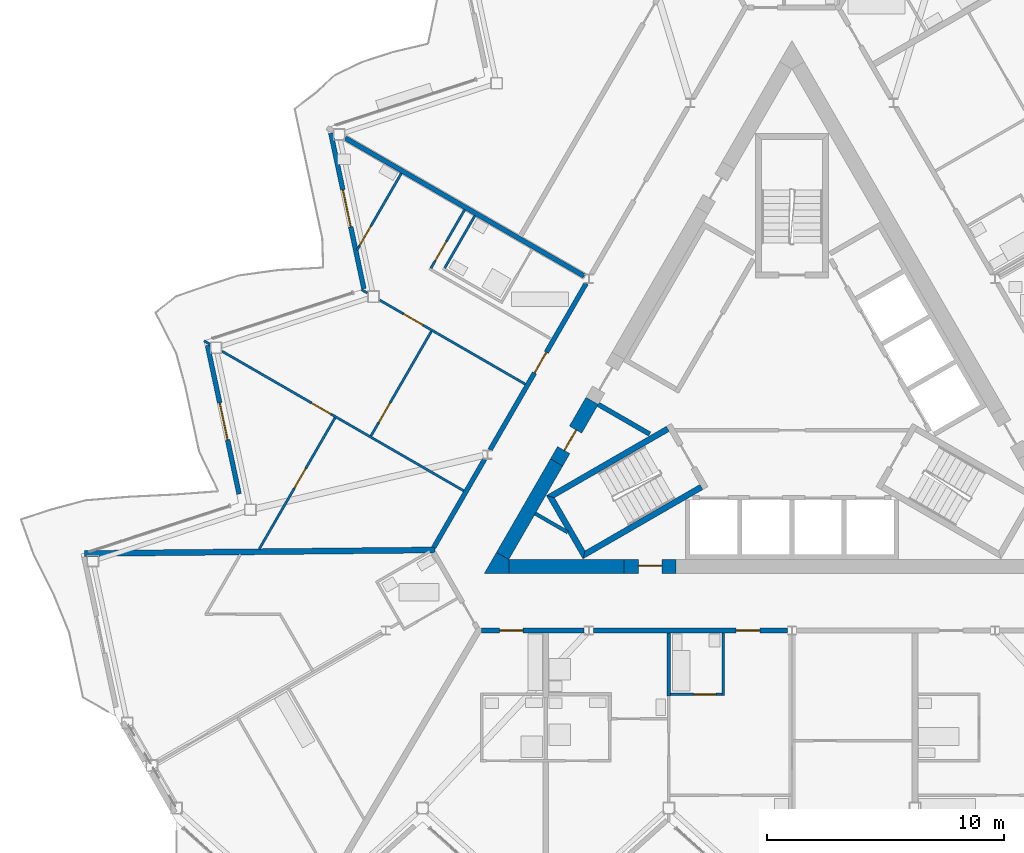
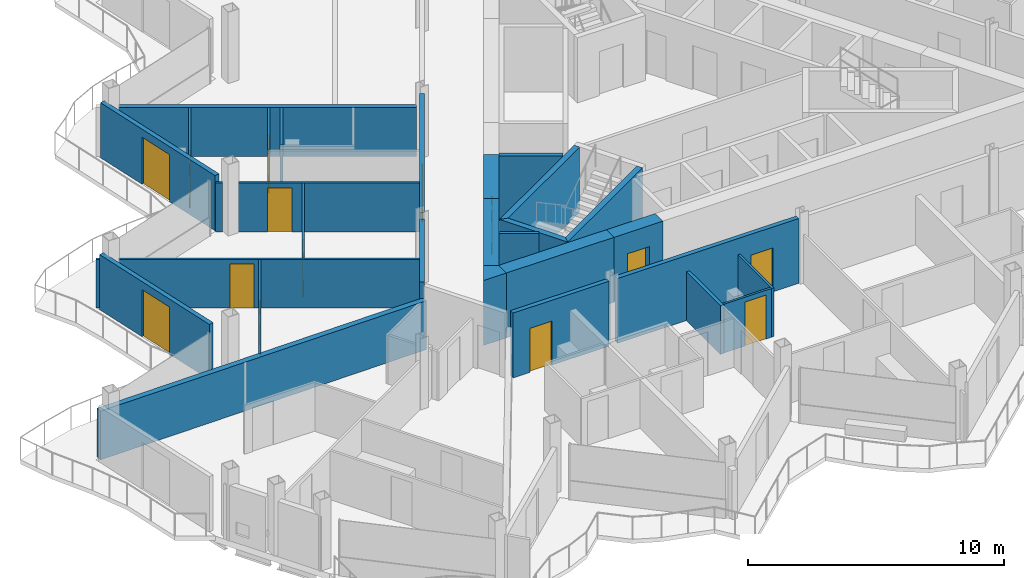
# One storey, part 13 of 26: 30 walls, 14 doors, 14 openings.
"""IFC4 building model written with IfcOpenShell, lengths in metres."""

from ifc_helpers import new_model, si_unit, direction, frame, frame_2d, origin, place, context, subcontext, project, spatial, polyline, rectangle, outline, extrude, material, layer, layer_set, type_object, element, fill, save


model = new_model("IFC4")

# Units and contexts
model_context = context("Model", 3, precision=1e-05, world=origin(), true_north=direction((0.0, 1.0)))
body_context = subcontext(model_context, "Body", "Model", "MODEL_VIEW")
ifc_project = project(units=[si_unit("LENGTHUNIT", "METRE"), si_unit("AREAUNIT", "SQUARE_METRE"), si_unit("VOLUMEUNIT", "CUBIC_METRE"), si_unit("PLANEANGLEUNIT", "RADIAN"), si_unit("MASSUNIT", "GRAM", prefix="KILO")], contexts=[model_context])

# Site, building, storey
site_placement = place(None, origin())
site = spatial("IfcSite", under=ifc_project, at=site_placement, CompositionType="ELEMENT")
building_placement = place(site_placement, origin())
building = spatial("IfcBuilding", under=site, at=building_placement, Name="Cormorant Prow Tower", CompositionType="ELEMENT")
storey_placement = place(building_placement, frame((0.0, 0.0, 371.199951171875)))
storey = spatial("IfcBuildingStorey", under=building, at=storey_placement, Name="L83", CompositionType="ELEMENT", Elevation=371.199951171875)

# Walls
ifc_material_1 = material(Name="Gypsum board partition")
ifc_layer_1 = layer(ifc_material_1, 0.14990234375)
ifc_layer_set_1 = layer_set([ifc_layer_1], Name="Gypsum board partition")
wall_type_1 = type_object("IfcWallType", Name="Core partition 150", PredefinedType="PARTITIONING", material=ifc_layer_set_1)
wall_1_placement = place(storey_placement, frame((-10.841796875, -4.96728515625, 0.0), z_axis=(0.0, 0.0, 1.0), x_axis=(0.866098216386, -0.499873863663, 0.0)))
element("IfcWall", 1, at=wall_1_placement, inside=storey, type_object=wall_type_1, Name="Service room partition", PredefinedType="PARTITIONING", context=body_context, shape_type="SweptSolid", body=[
    extrude(rectangle(XDim=1.58203125, YDim=0.14990234375, at=frame_2d((0.791015625, 0.0))), origin(), (0.0, 0.0, 1.0), 3.10009765625),
])
ifc_material_2 = material(Name="Concrete 8000 psi", Category="concrete")
ifc_layer_2 = layer(ifc_material_2, 0.60009765625)
ifc_layer_set_2 = layer_set([ifc_layer_2], Name="Concrete 8000 psi")
wall_type_2 = type_object("IfcWallType", Name="Core shear wall 600", PredefinedType="SHEAR", material=ifc_layer_set_2)
wall_2_placement = place(storey_placement, frame((-11.960693359375, -7.20556640625, 0.0), z_axis=(0.0, 0.0, 1.0), x_axis=(1.0, 0.0, 0.0)))
element("IfcWall", 2, at=wall_2_placement, inside=storey, type_object=wall_type_2, Name="Core wall", PredefinedType="SHEAR", context=body_context, shape_type="SweptSolid", body=[
    extrude(rectangle(XDim=4.868408203125, YDim=0.60009765625, at=frame_2d((2.43408203125, 0.0))), origin(), (0.0, 0.0, 1.0), 3.10009765625),
])
wall_3_placement = place(storey_placement, frame((-9.94091796875, -2.80712890625, 0.0), z_axis=(0.0, 0.0, 1.0), x_axis=(-0.500020646047, -0.866013483456, 0.0)))
element("IfcWall", 3, at=wall_3_placement, inside=storey, type_object=wall_type_2, Name="Core wall", PredefinedType="SHEAR", context=body_context, shape_type="SweptSolid", body=[
    extrude(rectangle(XDim=4.559326171875, YDim=0.60009765625, at=frame_2d((2.27978515625, 0.0))), origin(), (0.0, 0.0, 1.0), 3.10009765625),
])
wall_4_placement = place(storey_placement, origin())
element("IfcWall", 4, at=wall_4_placement, inside=storey, type_object=wall_type_2, Name="Core wall corner", PredefinedType="SHEAR", context=body_context, shape_type="SweptSolid", body=[
    extrude(outline(polyline([(-12.48046875, -6.605712890625), (-11.960693359375, -6.905517578125), (-11.960693359375, -7.505615234375), (-13.0, -7.505615234375), (-12.48046875, -6.605712890625)])), origin(), (0.0, 0.0, 1.0), 3.10009765625),
])

# Wall, opening, door
wall_5_placement = place(storey_placement, frame((-7.09228515625, -7.20556640625, 0.0), z_axis=(0.0, 0.0, 1.0), x_axis=(1.0, 0.0, 0.0)))
wall_5 = element("IfcWall", 5, at=wall_5_placement, inside=storey, type_object=wall_type_2, Name="Core wall door panel", PredefinedType="SHEAR", context=body_context, shape_type="SweptSolid", body=[
    extrude(rectangle(XDim=2.2001953125, YDim=0.60009765625, at=frame_2d((1.10009765625, 0.0))), origin(), (0.0, 0.0, 1.0), 3.10009765625),
])
opening_1_placement = place(wall_5_placement, frame((0.60009765625, 0.0, 0.0)))
opening_1 = element("IfcOpeningElement", 6, at=opening_1_placement, cuts=wall_5, Name="Opening L83-C14", PredefinedType="OPENING", context=body_context, shape_type="SweptSolid", body=[
    extrude(rectangle(XDim=1.0, YDim=2.10009765625, at=frame_2d((0.5, 1.050048828125))), frame((0.0, 0.31005859375, 0.0), z_axis=(0.0, -1.0, 0.0), x_axis=(1.0, 0.0, 0.0)), (0.0, 0.0, 1.0), 0.6201171875),
])
ifc_material_3 = material(Name="Painted steel", Category="steel")
door_type_1 = type_object("IfcDoorType", Name="Service door 1000x2100", OperationType="NOTDEFINED", PredefinedType="DOOR", material=ifc_material_3)
door_1_placement = place(opening_1_placement, origin())
door_1 = element("IfcDoor", 7, at=door_1_placement, inside=storey, type_object=door_type_1, Name="Core door, Housekeeping store", OperationType="SINGLE_SWING_LEFT", OverallHeight=2.10009765625, OverallWidth=1.0, PredefinedType="DOOR", context=body_context, shape_type="SweptSolid", body=[
    extrude(rectangle(XDim=1.0, YDim=2.10009765625, at=frame_2d((0.5, 1.050048828125))), frame((0.0, 0.05517578125, 0.0), z_axis=(0.0, -1.0, 0.0), x_axis=(1.0, 0.0, 0.0)), (0.0, 0.0, 1.0), 0.050048828125),
])
fill(opening_1, door_1)

wall_6_placement = place(storey_placement, frame((-8.440185546875, -0.207763671875, 0.0), z_axis=(0.0, 0.0, 1.0), x_axis=(-0.499997052475, -0.866027105532, 0.0)))
wall_6 = element("IfcWall", 8, at=wall_6_placement, inside=storey, type_object=wall_type_2, Name="Core wall door panel", PredefinedType="SHEAR", context=body_context, shape_type="SweptSolid", body=[
    extrude(rectangle(XDim=3.00146484375, YDim=0.60009765625, at=frame_2d((1.500732421875, 0.0))), origin(), (0.0, 0.0, 1.0), 3.10009765625),
])
opening_2_placement = place(wall_6_placement, frame((1.39990234375, 0.0, 0.0)))
opening_2 = element("IfcOpeningElement", 9, at=opening_2_placement, cuts=wall_6, Name="Opening L83-C16", PredefinedType="OPENING", context=body_context, shape_type="SweptSolid", body=[
    extrude(rectangle(XDim=1.0, YDim=2.10009765625, at=frame_2d((0.5, 1.050048828125))), frame((0.0, 0.31005859375, 0.0), z_axis=(0.0, -1.0, 0.0), x_axis=(1.0, 0.0, 0.0)), (0.0, 0.0, 1.0), 0.6201171875),
])
door_2_placement = place(opening_2_placement, origin())
door_2 = element("IfcDoor", 10, at=door_2_placement, inside=storey, type_object=door_type_1, Name="Core door, Linen store", OperationType="SINGLE_SWING_RIGHT", OverallHeight=2.10009765625, OverallWidth=1.0, PredefinedType="DOOR", context=body_context, shape_type="SweptSolid", body=[
    extrude(rectangle(XDim=1.0, YDim=2.10009765625, at=frame_2d((0.5, 1.050048828125))), frame((0.0, 0.05517578125, 0.0), z_axis=(0.0, -1.0, 0.0), x_axis=(1.0, 0.0, 0.0)), (0.0, 0.0, 1.0), 0.050048828125),
])
fill(opening_2, door_2)

ifc_material_4 = material(Name="Gypsum board corridor wall")
ifc_layer_3 = layer(ifc_material_4, 0.199951171875)
ifc_layer_set_3 = layer_set([ifc_layer_3], Name="Gypsum board corridor wall")
wall_type_3 = type_object("IfcWallType", Name="Corridor wall 200", PredefinedType="PARTITIONING", material=ifc_layer_set_3)
wall_7_placement = place(storey_placement, frame((-8.381591796875, -9.905517578125, 0.0), z_axis=(0.0, 0.0, 1.0), x_axis=(1.0, 0.0, 0.0)))
wall_7 = element("IfcWall", 11, at=wall_7_placement, inside=storey, type_object=wall_type_3, Name="Corridor wall", PredefinedType="PARTITIONING", context=body_context, shape_type="SweptSolid", body=[
    extrude(rectangle(XDim=8.1845703125, YDim=0.199951171875, at=frame_2d((4.09228515625, 0.0))), origin(), (0.0, 0.0, 1.0), 3.10009765625),
])
opening_3_placement = place(wall_7_placement, frame((6.02294921875, 0.0, 0.0)))
opening_3 = element("IfcOpeningElement", 12, at=opening_3_placement, cuts=wall_7, Name="Opening L83-F03", PredefinedType="OPENING", context=body_context, shape_type="SweptSolid", body=[
    extrude(rectangle(XDim=1.0, YDim=2.10009765625, at=frame_2d((0.5, 1.050048828125))), frame((0.0, 0.10986328125, 0.0), z_axis=(0.0, -1.0, 0.0), x_axis=(1.0, 0.0, 0.0)), (0.0, 0.0, 1.0), 0.219970703125),
])
ifc_material_5 = material(Name="Timber door leaf", Category="wood")
door_type_2 = type_object("IfcDoorType", Name="Flat or room entrance door 1000x2100", OperationType="NOTDEFINED", PredefinedType="DOOR", material=ifc_material_5)
door_3_placement = place(opening_3_placement, origin())
door_3 = element("IfcDoor", 13, at=door_3_placement, inside=storey, type_object=door_type_2, Name="Living room door", OperationType="SINGLE_SWING_LEFT", OverallHeight=2.10009765625, OverallWidth=1.0, PredefinedType="DOOR", context=body_context, shape_type="SweptSolid", body=[
    extrude(rectangle(XDim=1.0, YDim=2.10009765625, at=frame_2d((0.5, 1.050048828125))), frame((0.0, 0.02490234375, 0.0), z_axis=(0.0, -1.0, 0.0), x_axis=(1.0, 0.0, 0.0)), (0.0, 0.0, 1.0), 0.050048828125),
])
fill(opening_3, door_3)

wall_8_placement = place(storey_placement, frame((-12.75390625, -2.279296875, 0.0), z_axis=(0.0, 0.0, 1.0), x_axis=(0.500001682468, 0.866024432409, 0.0)))
wall_8 = element("IfcWall", 14, at=wall_8_placement, inside=storey, type_object=wall_type_3, Name="Corridor wall", PredefinedType="PARTITIONING", context=body_context, shape_type="SweptSolid", body=[
    extrude(rectangle(XDim=8.12353515625, YDim=0.199951171875, at=frame_2d((4.061767578125, 0.0))), origin(), (0.0, 0.0, 1.0), 3.10009765625),
])
opening_4_placement = place(wall_8_placement, frame((3.762451171875, 0.0, 0.0)))
opening_4 = element("IfcOpeningElement", 15, at=opening_4_placement, cuts=wall_8, Name="Opening L83-F45", PredefinedType="OPENING", context=body_context, shape_type="SweptSolid", body=[
    extrude(rectangle(XDim=1.0, YDim=2.10009765625, at=frame_2d((0.5, 1.050048828125))), frame((0.0, 0.10986328125, 0.0), z_axis=(0.0, -1.0, 0.0), x_axis=(1.0, 0.0, 0.0)), (0.0, 0.0, 1.0), 0.219970703125),
])
door_4_placement = place(opening_4_placement, origin())
door_4 = element("IfcDoor", 16, at=door_4_placement, inside=storey, type_object=door_type_2, Name="Living room door", OperationType="SINGLE_SWING_LEFT", OverallHeight=2.10009765625, OverallWidth=1.0, PredefinedType="DOOR", context=body_context, shape_type="SweptSolid", body=[
    extrude(rectangle(XDim=1.0, YDim=2.10009765625, at=frame_2d((0.5, 1.050048828125))), frame((0.0, 0.02490234375, 0.0), z_axis=(0.0, -1.0, 0.0), x_axis=(1.0, 0.0, 0.0)), (0.0, 0.0, 1.0), 0.050048828125),
])
fill(opening_4, door_4)

wall_9_placement = place(storey_placement, frame((-13.10595703125, -9.905517578125, 0.0), z_axis=(0.0, 0.0, 1.0), x_axis=(1.0, 0.0, 0.0)))
wall_9 = element("IfcWall", 17, at=wall_9_placement, inside=storey, type_object=wall_type_3, Name="Corridor wall", PredefinedType="PARTITIONING", context=body_context, shape_type="SweptSolid", body=[
    extrude(rectangle(XDim=4.33056640625, YDim=0.199951171875, at=frame_2d((2.165283203125, 0.0))), origin(), (0.0, 0.0, 1.0), 3.10009765625),
])
opening_5_placement = place(wall_9_placement, frame((0.75537109375, 0.0, 0.0)))
opening_5 = element("IfcOpeningElement", 18, at=opening_5_placement, cuts=wall_9, Name="Opening L83-F01", PredefinedType="OPENING", context=body_context, shape_type="SweptSolid", body=[
    extrude(rectangle(XDim=1.0, YDim=2.10009765625, at=frame_2d((0.5, 1.050048828125))), frame((0.0, 0.10986328125, 0.0), z_axis=(0.0, -1.0, 0.0), x_axis=(1.0, 0.0, 0.0)), (0.0, 0.0, 1.0), 0.219970703125),
])
door_5_placement = place(opening_5_placement, origin())
door_5 = element("IfcDoor", 19, at=door_5_placement, inside=storey, type_object=door_type_2, Name="Studio living, kitchen and sleeping room door", OperationType="SINGLE_SWING_LEFT", OverallHeight=2.10009765625, OverallWidth=1.0, PredefinedType="DOOR", context=body_context, shape_type="SweptSolid", body=[
    extrude(rectangle(XDim=1.0, YDim=2.10009765625, at=frame_2d((0.5, 1.050048828125))), frame((0.0, 0.02490234375, 0.0), z_axis=(0.0, -1.0, 0.0), x_axis=(1.0, 0.0, 0.0)), (0.0, 0.0, 1.0), 0.050048828125),
])
fill(opening_5, door_5)

# Walls
wall_10_placement = place(storey_placement, frame((-15.13134765625, -6.397216796875, 0.0), z_axis=(0.0, 0.0, 1.0), x_axis=(0.499986217557, 0.866033360935, 0.0)))
element("IfcWall", 20, at=wall_10_placement, inside=storey, type_object=wall_type_3, Name="Corridor wall", PredefinedType="PARTITIONING", context=body_context, shape_type="SweptSolid", body=[
    extrude(rectangle(XDim=4.2998046875, YDim=0.199951171875, at=frame_2d((2.14990234375, 0.0))), origin(), (0.0, 0.0, 1.0), 3.10009765625),
])
ifc_material_6 = material(Name="Gypsum board demising wall")
ifc_layer_4 = layer(ifc_material_6, 0.199951171875)
ifc_layer_set_4 = layer_set([ifc_layer_4], Name="Gypsum board demising wall")
wall_type_4 = type_object("IfcWallType", Name="Demising wall 200", PredefinedType="PARTITIONING", material=ifc_layer_set_4)
wall_11_placement = place(storey_placement, frame((-18.86865234375, 10.893798828125, 0.0), z_axis=(0.0, 0.0, 1.0), x_axis=(0.866023724155, -0.500002909193, 0.0)))
element("IfcWall", 21, at=wall_11_placement, inside=storey, type_object=wall_type_4, Name="Demising wall", PredefinedType="PARTITIONING", context=body_context, shape_type="SweptSolid", body=[
    extrude(rectangle(XDim=11.65478515625, YDim=0.199951171875, at=frame_2d((5.827392578125, 0.0))), origin(), (0.0, 0.0, 1.0), 2.330078125),
])

# Wall, opening, door
ifc_material_7 = material(Name="Gypsum board partition")
ifc_layer_5 = layer(ifc_material_7, 0.10009765625)
ifc_layer_set_5 = layer_set([ifc_layer_5], Name="Gypsum board partition")
wall_type_5 = type_object("IfcWallType", Name="Internal partition 100", PredefinedType="PARTITIONING", material=ifc_layer_set_5)
wall_12_placement = place(storey_placement, frame((-24.068603515625, 1.88720703125, 0.0), z_axis=(0.0, 0.0, 1.0), x_axis=(0.866023404247, -0.500003463284, 0.0)))
wall_12 = element("IfcWall", 22, at=wall_12_placement, inside=storey, type_object=wall_type_5, Name="Internal partition", PredefinedType="PARTITIONING", context=body_context, shape_type="SweptSolid", body=[
    extrude(rectangle(XDim=11.7822265625, YDim=0.10009765625, at=frame_2d((5.89111328125, 0.0))), origin(), (0.0, 0.0, 1.0), 2.330078125),
])
opening_6_placement = place(wall_12_placement, frame((4.36279296875, 0.0, 0.0)))
opening_6 = element("IfcOpeningElement", 23, at=opening_6_placement, cuts=wall_12, Name="Opening L83-F50", PredefinedType="OPENING", context=body_context, shape_type="SweptSolid", body=[
    extrude(rectangle(XDim=0.949951171875, YDim=2.10009765625, at=frame_2d((0.47509765625, 1.050048828125))), frame((0.0, 0.06005859375, 0.0), z_axis=(0.0, -1.0, 0.0), x_axis=(1.0, 0.0, 0.0)), (0.0, 0.0, 1.0), 0.1201171875),
])
ifc_material_8 = material(Name="Timber door leaf", Category="wood")
door_type_3 = type_object("IfcDoorType", Name="Bathroom door 950x2100", OperationType="NOTDEFINED", PredefinedType="DOOR", material=ifc_material_8)
door_6_placement = place(opening_6_placement, origin())
door_6 = element("IfcDoor", 24, at=door_6_placement, inside=storey, type_object=door_type_3, Name="Bedroom door", OperationType="SINGLE_SWING_RIGHT", OverallHeight=2.10009765625, OverallWidth=0.949951171875, PredefinedType="DOOR", context=body_context, shape_type="SweptSolid", body=[
    extrude(rectangle(XDim=0.949951171875, YDim=2.10009765625, at=frame_2d((0.47509765625, 1.050048828125))), frame((0.0, 0.02490234375, 0.0), z_axis=(0.0, -1.0, 0.0), x_axis=(1.0, 0.0, 0.0)), (0.0, 0.0, 1.0), 0.050048828125),
])
fill(opening_6, door_6)

wall_13_placement = place(storey_placement, frame((-17.413818359375, 4.04931640625, 0.0), z_axis=(0.0, 0.0, 1.0), x_axis=(0.866033839264, -0.499985389037, 0.0)))
wall_13 = element("IfcWall", 25, at=wall_13_placement, inside=storey, type_object=wall_type_5, Name="Internal partition", PredefinedType="PARTITIONING", context=body_context, shape_type="SweptSolid", body=[
    extrude(rectangle(XDim=7.099853515625, YDim=0.10009765625, at=frame_2d((3.5498046875, 0.0))), origin(), (0.0, 0.0, 1.0), 2.330078125),
])
opening_7_placement = place(wall_13_placement, frame((1.157958984375, 0.0, 0.0)))
opening_7 = element("IfcOpeningElement", 26, at=opening_7_placement, cuts=wall_13, Name="Opening L83-F48", PredefinedType="OPENING", context=body_context, shape_type="SweptSolid", body=[
    extrude(rectangle(XDim=0.949951171875, YDim=2.10009765625, at=frame_2d((0.47509765625, 1.050048828125))), frame((0.0, 0.06005859375, 0.0), z_axis=(0.0, -1.0, 0.0), x_axis=(1.0, 0.0, 0.0)), (0.0, 0.0, 1.0), 0.1201171875),
])
door_7_placement = place(opening_7_placement, origin())
door_7 = element("IfcDoor", 27, at=door_7_placement, inside=storey, type_object=door_type_3, Name="Living room door", OperationType="SINGLE_SWING_RIGHT", OverallHeight=2.10009765625, OverallWidth=0.949951171875, PredefinedType="DOOR", context=body_context, shape_type="SweptSolid", body=[
    extrude(rectangle(XDim=0.949951171875, YDim=2.10009765625, at=frame_2d((0.47509765625, 1.050048828125))), frame((0.0, 0.02490234375, 0.0), z_axis=(0.0, -1.0, 0.0), x_axis=(1.0, 0.0, 0.0)), (0.0, 0.0, 1.0), 0.050048828125),
])
fill(opening_7, door_7)

wall_14_placement = place(storey_placement, frame((-22.505126953125, -6.4716796875, 0.0), z_axis=(0.0, 0.0, 1.0), x_axis=(0.499999516514, 0.866025682925, 0.0)))
wall_14 = element("IfcWall", 28, at=wall_14_placement, inside=storey, type_object=wall_type_5, Name="Internal partition", PredefinedType="PARTITIONING", context=body_context, shape_type="SweptSolid", body=[
    extrude(rectangle(XDim=6.4072265625, YDim=0.10009765625, at=frame_2d((3.20361328125, 0.0))), origin(), (0.0, 0.0, 1.0), 2.330078125),
])
opening_8_placement = place(wall_14_placement, frame((2.9814453125, 0.0, 0.0)))
opening_8 = element("IfcOpeningElement", 29, at=opening_8_placement, cuts=wall_14, Name="Opening L83-F51", PredefinedType="OPENING", context=body_context, shape_type="SweptSolid", body=[
    extrude(rectangle(XDim=0.949951171875, YDim=2.10009765625, at=frame_2d((0.47509765625, 1.050048828125))), frame((0.0, 0.06005859375, 0.0), z_axis=(0.0, -1.0, 0.0), x_axis=(1.0, 0.0, 0.0)), (0.0, 0.0, 1.0), 0.1201171875),
])
door_8_placement = place(opening_8_placement, origin())
door_8 = element("IfcDoor", 30, at=door_8_placement, inside=storey, type_object=door_type_3, Name="Bedroom door", OperationType="SINGLE_SWING_LEFT", OverallHeight=2.10009765625, OverallWidth=0.949951171875, PredefinedType="DOOR", context=body_context, shape_type="SweptSolid", body=[
    extrude(rectangle(XDim=0.949951171875, YDim=2.10009765625, at=frame_2d((0.47509765625, 1.050048828125))), frame((0.0, 0.02490234375, 0.0), z_axis=(0.0, -1.0, 0.0), x_axis=(1.0, 0.0, 0.0)), (0.0, 0.0, 1.0), 0.050048828125),
])
fill(opening_8, door_8)

wall_15_placement = place(storey_placement, frame((-17.7802734375, -1.685791015625, 0.0), z_axis=(0.0, 0.0, 1.0), x_axis=(0.500005610874, 0.86602216432, 0.0)))
wall_15 = element("IfcWall", 31, at=wall_15_placement, inside=storey, type_object=wall_type_5, Name="Internal partition", PredefinedType="PARTITIONING", context=body_context, shape_type="SweptSolid", body=[
    extrude(rectangle(XDim=5.10009765625, YDim=0.10009765625, at=frame_2d((2.550048828125, 0.0))), origin(), (0.0, 0.0, 1.0), 2.330078125),
])
opening_9_placement = place(wall_15_placement, frame((0.655517578125, 0.0, 0.0)))
opening_9 = element("IfcOpeningElement", 32, at=opening_9_placement, cuts=wall_15, Name="Opening L83-F49", PredefinedType="OPENING", context=body_context, shape_type="SweptSolid", body=[
    extrude(rectangle(XDim=0.949951171875, YDim=2.10009765625, at=frame_2d((0.47509765625, 1.050048828125))), frame((0.0, 0.06005859375, 0.0), z_axis=(0.0, -1.0, 0.0), x_axis=(1.0, 0.0, 0.0)), (0.0, 0.0, 1.0), 0.1201171875),
])
door_9_placement = place(opening_9_placement, origin())
door_9 = element("IfcDoor", 33, at=door_9_placement, inside=storey, type_object=door_type_3, Name="Bedroom door", OperationType="SINGLE_SWING_LEFT", OverallHeight=2.10009765625, OverallWidth=0.949951171875, PredefinedType="DOOR", context=body_context, shape_type="SweptSolid", body=[
    extrude(rectangle(XDim=0.949951171875, YDim=2.10009765625, at=frame_2d((0.47509765625, 1.050048828125))), frame((0.0, 0.02490234375, 0.0), z_axis=(0.0, -1.0, 0.0), x_axis=(1.0, 0.0, 0.0)), (0.0, 0.0, 1.0), 0.050048828125),
])
fill(opening_9, door_9)

wall_16_placement = place(storey_placement, frame((-18.3720703125, 6.15966796875, 0.0), z_axis=(0.0, 0.0, 1.0), x_axis=(0.499981580887, 0.866036037803, 0.0)))
wall_16 = element("IfcWall", 34, at=wall_16_placement, inside=storey, type_object=wall_type_5, Name="Internal partition", PredefinedType="PARTITIONING", context=body_context, shape_type="SweptSolid", body=[
    extrude(rectangle(XDim=3.751708984375, YDim=0.10009765625, at=frame_2d((1.8759765625, 0.0))), origin(), (0.0, 0.0, 1.0), 2.330078125),
])
opening_10_placement = place(wall_16_placement, frame((0.222412109375, 0.0, 0.0)))
opening_10 = element("IfcOpeningElement", 35, at=opening_10_placement, cuts=wall_16, Name="Opening L83-F46", PredefinedType="OPENING", context=body_context, shape_type="SweptSolid", body=[
    extrude(rectangle(XDim=0.949951171875, YDim=2.10009765625, at=frame_2d((0.47509765625, 1.050048828125))), frame((0.0, 0.06005859375, 0.0), z_axis=(0.0, -1.0, 0.0), x_axis=(1.0, 0.0, 0.0)), (0.0, 0.0, 1.0), 0.1201171875),
])
door_10_placement = place(opening_10_placement, origin())
door_10 = element("IfcDoor", 36, at=door_10_placement, inside=storey, type_object=door_type_3, Name="Living room door", OperationType="SINGLE_SWING_LEFT", OverallHeight=2.10009765625, OverallWidth=0.949951171875, PredefinedType="DOOR", context=body_context, shape_type="SweptSolid", body=[
    extrude(rectangle(XDim=0.949951171875, YDim=2.10009765625, at=frame_2d((0.47509765625, 1.050048828125))), frame((0.0, 0.02490234375, 0.0), z_axis=(0.0, -1.0, 0.0), x_axis=(1.0, 0.0, 0.0)), (0.0, 0.0, 1.0), 0.050048828125),
])
fill(opening_10, door_10)

wall_17_placement = place(storey_placement, frame((-15.24951171875, 5.39794921875, 0.0), z_axis=(0.0, 0.0, 1.0), x_axis=(0.499935029643, 0.866062911188, 0.0)))
wall_17 = element("IfcWall", 37, at=wall_17_placement, inside=storey, type_object=wall_type_5, Name="Internal partition", PredefinedType="PARTITIONING", context=body_context, shape_type="SweptSolid", body=[
    extrude(rectangle(XDim=2.85009765625, YDim=0.10009765625, at=frame_2d((1.425048828125, 0.0))), origin(), (0.0, 0.0, 1.0), 2.330078125),
])
opening_11_placement = place(wall_17_placement, frame((0.35009765625, 0.0, 0.0)))
opening_11 = element("IfcOpeningElement", 38, at=opening_11_placement, cuts=wall_17, Name="Opening L83-F47", PredefinedType="OPENING", context=body_context, shape_type="SweptSolid", body=[
    extrude(rectangle(XDim=0.949951171875, YDim=2.10009765625, at=frame_2d((0.47509765625, 1.050048828125))), frame((0.0, 0.06005859375, 0.0), z_axis=(0.0, -1.0, 0.0), x_axis=(1.0, 0.0, 0.0)), (0.0, 0.0, 1.0), 0.1201171875),
])
door_11_placement = place(opening_11_placement, origin())
door_11 = element("IfcDoor", 39, at=door_11_placement, inside=storey, type_object=door_type_3, Name="Living room door", OperationType="SINGLE_SWING_LEFT", OverallHeight=2.10009765625, OverallWidth=0.949951171875, PredefinedType="DOOR", context=body_context, shape_type="SweptSolid", body=[
    extrude(rectangle(XDim=0.949951171875, YDim=2.10009765625, at=frame_2d((0.47509765625, 1.050048828125))), frame((0.0, 0.02490234375, 0.0), z_axis=(0.0, -1.0, 0.0), x_axis=(1.0, 0.0, 0.0)), (0.0, 0.0, 1.0), 0.050048828125),
])
fill(opening_11, door_11)

# Walls
wall_18_placement = place(storey_placement, frame((-2.89990234375, -12.655517578125, 0.0), z_axis=(0.0, 0.0, 1.0), x_axis=(0.0, 1.0, 0.0)))
element("IfcWall", 40, at=wall_18_placement, inside=storey, type_object=wall_type_5, Name="Internal partition", PredefinedType="PARTITIONING", context=body_context, shape_type="SweptSolid", body=[
    extrude(rectangle(XDim=2.64990234375, YDim=0.10009765625, at=frame_2d((1.324951171875, 0.0))), origin(), (0.0, 0.0, 1.0), 2.330078125),
])
wall_19_placement = place(storey_placement, frame((-14.66650390625, 5.40771484375, 0.0), z_axis=(0.0, 0.0, 1.0), x_axis=(0.499948979701, 0.866054858364, 0.0)))
element("IfcWall", 41, at=wall_19_placement, inside=storey, type_object=wall_type_5, Name="Internal partition", PredefinedType="PARTITIONING", context=body_context, shape_type="SweptSolid", body=[
    extrude(rectangle(XDim=2.550048828125, YDim=0.10009765625, at=frame_2d((1.27490234375, 0.0))), origin(), (0.0, 0.0, 1.0), 2.330078125),
])

# Wall, opening, door
wall_20_placement = place(storey_placement, frame((-5.125, -12.605712890625, 0.0), z_axis=(0.0, 0.0, 1.0), x_axis=(1.0, 0.0, 0.0)))
wall_20 = element("IfcWall", 42, at=wall_20_placement, inside=storey, type_object=wall_type_5, Name="Internal partition", PredefinedType="PARTITIONING", context=body_context, shape_type="SweptSolid", body=[
    extrude(rectangle(XDim=2.175048828125, YDim=0.10009765625, at=frame_2d((1.08740234375, 0.0))), origin(), (0.0, 0.0, 1.0), 2.330078125),
])
opening_12_placement = place(wall_20_placement, frame((0.97509765625, 0.0, 0.0)))
opening_12 = element("IfcOpeningElement", 43, at=opening_12_placement, cuts=wall_20, Name="Opening L83-F04", PredefinedType="OPENING", context=body_context, shape_type="SweptSolid", body=[
    extrude(rectangle(XDim=0.949951171875, YDim=2.10009765625, at=frame_2d((0.47509765625, 1.050048828125))), frame((0.0, 0.06005859375, 0.0), z_axis=(0.0, -1.0, 0.0), x_axis=(1.0, 0.0, 0.0)), (0.0, 0.0, 1.0), 0.1201171875),
])
door_12_placement = place(opening_12_placement, origin())
door_12 = element("IfcDoor", 44, at=door_12_placement, inside=storey, type_object=door_type_3, Name="Living room door", OperationType="SINGLE_SWING_RIGHT", OverallHeight=2.10009765625, OverallWidth=0.949951171875, PredefinedType="DOOR", context=body_context, shape_type="SweptSolid", body=[
    extrude(rectangle(XDim=0.949951171875, YDim=2.10009765625, at=frame_2d((0.47509765625, 1.050048828125))), frame((0.0, 0.02490234375, 0.0), z_axis=(0.0, -1.0, 0.0), x_axis=(1.0, 0.0, 0.0)), (0.0, 0.0, 1.0), 0.050048828125),
])
fill(opening_12, door_12)

# Walls
for number, where, z_axis, x_axis, name in (
    (45, (-18.17431640625, 4.48828125, 0.0), (0.0, 0.0, 1.0), (0.866288059981, -0.499544789918, 0.0), "Internal partition"),
    (46, (-24.8291015625, 2.326171875, 0.0), (0.0, 0.0, 1.0), (0.866288059981, -0.499544789918, 0.0), "Internal partition"),
):
    element("IfcWall", number, at=place(storey_placement, frame(where, z_axis=z_axis, x_axis=x_axis)), inside=storey, type_object=wall_type_5, Name=name, PredefinedType="PARTITIONING", context=body_context, shape_type="SweptSolid", body=[
        extrude(rectangle(XDim=0.277587890625, YDim=0.10009765625, at=frame_2d((0.138671875, 0.0))), origin(), (0.0, 0.0, 1.0), 2.330078125),
    ])
ifc_material_9 = material(Name="Concrete 8000 psi", Category="concrete")
ifc_layer_6 = layer(ifc_material_9, 0.199951171875)
ifc_layer_set_6 = layer_set([ifc_layer_6], Name="Concrete 8000 psi")
wall_type_6 = type_object("IfcWallType", Name="Lift shaft wall 200", PredefinedType="SHEAR", material=ifc_layer_set_6)
wall_21_placement = place(storey_placement, origin())
element("IfcWall", 47, at=wall_21_placement, inside=storey, type_object=wall_type_6, Name="Lift shaft walls, WNW block", PredefinedType="SHEAR", context=body_context, shape_type="SweptSolid", body=[
    extrude(outline(polyline([(-6.060546875, -1.697021484375), (-8.230712890625, -0.444091796875), (-8.130859375, -0.27099609375), (-5.96044921875, -1.52392578125), (-6.060546875, -1.697021484375)])), origin(), (0.0, 0.0, 1.0), 3.10009765625),
])
ifc_material_10 = material(Name="Concrete 8000 psi", Category="concrete")
ifc_layer_7 = layer(ifc_material_10, 0.25)
ifc_layer_set_7 = layer_set([ifc_layer_7], Name="Concrete 8000 psi")
wall_type_7 = type_object("IfcWallType", Name="Stair wall 250", PredefinedType="SHEAR", material=ifc_layer_set_7)
wall_22_placement = place(storey_placement, origin())
element("IfcWall", 48, at=wall_22_placement, inside=storey, type_object=wall_type_7, Name="Stair ST1 enclosure wall (flank)", PredefinedType="SHEAR", context=body_context, shape_type="SweptSolid", body=[
    extrude(outline(polyline([(-5.30712890625, -1.28125), (-10.37353515625, -4.206298828125), (-10.031982421875, -4.2978515625), (-5.18212890625, -1.497802734375), (-5.30712890625, -1.28125)])), origin(), (0.0, 0.0, 1.0), 3.10009765625),
])
wall_23_placement = place(storey_placement, origin())
element("IfcWall", 49, at=wall_23_placement, inside=storey, type_object=wall_type_7, Name="Stair ST1 enclosure wall (end)", PredefinedType="SHEAR", context=body_context, shape_type="SweptSolid", body=[
    extrude(outline(polyline([(-10.37353515625, -4.206298828125), (-8.82958984375, -6.880615234375), (-8.738037109375, -6.5390625), (-10.031982421875, -4.2978515625), (-10.37353515625, -4.206298828125)])), origin(), (0.0, 0.0, 1.0), 3.10009765625),
])
wall_24_placement = place(storey_placement, origin())
element("IfcWall", 50, at=wall_24_placement, inside=storey, type_object=wall_type_7, Name="Stair ST1 enclosure wall (flank)", PredefinedType="SHEAR", context=body_context, shape_type="SweptSolid", body=[
    extrude(outline(polyline([(-8.738037109375, -6.5390625), (-8.82958984375, -6.880615234375), (-3.76318359375, -3.95556640625), (-3.88818359375, -3.739013671875), (-8.738037109375, -6.5390625)])), origin(), (0.0, 0.0, 1.0), 3.10009765625),
])
ifc_material_11 = material(Name="Acoustic gypsum party wall")
ifc_layer_8 = layer(ifc_material_11, 0.25)
ifc_layer_set_8 = layer_set([ifc_layer_8], Name="Acoustic gypsum party wall")
wall_type_8 = type_object("IfcWallType", Name="Suite party wall 250", PredefinedType="PARTITIONING", material=ifc_layer_set_8)
wall_25_placement = place(storey_placement, frame((-29.88330078125, -6.653564453125, 0.0), z_axis=(0.0, 0.0, 1.0), x_axis=(0.999949143254, 0.010085182526, 0.0)))
element("IfcWall", 51, at=wall_25_placement, inside=storey, type_object=wall_type_8, Name="Suite party wall", PredefinedType="PARTITIONING", context=body_context, shape_type="SweptSolid", body=[
    extrude(rectangle(XDim=14.815185546875, YDim=0.25, at=frame_2d((7.40771484375, 0.0))), origin(), (0.0, 0.0, 1.0), 2.330078125),
])

# Wall, opening, door
ifc_material_12 = material(Name="Terracotta", Category="masonry")
ifc_layer_9 = layer(ifc_material_12, 0.199951171875)
ifc_layer_set_9 = layer_set([ifc_layer_9], Name="Terracotta")
wall_type_9 = type_object("IfcWallType", Name="Terracotta jamb wall 200", PredefinedType="SOLIDWALL", material=ifc_layer_set_9)
wall_26_placement = place(storey_placement, frame((-19.477294921875, 11.099853515625, 0.0), z_axis=(0.0, 0.0, 1.0), x_axis=(0.207910061304, -0.978147947096, 0.0)))
wall_26 = element("IfcWall", 52, at=wall_26_placement, inside=storey, type_object=wall_type_9, Name="Terracotta jamb wall WNW05", PredefinedType="SOLIDWALL", context=body_context, shape_type="SweptSolid", body=[
    extrude(rectangle(XDim=6.715576171875, YDim=0.199951171875, at=frame_2d((3.35791015625, 0.0))), origin(), (0.0, 0.0, 1.0), 2.634033203125),
])
opening_13_placement = place(wall_26_placement, frame((2.439208984375, 0.0, 0.0)))
opening_13 = element("IfcOpeningElement", 53, at=opening_13_placement, cuts=wall_26, Name="Opening ED83.13", PredefinedType="OPENING", context=body_context, shape_type="SweptSolid", body=[
    extrude(rectangle(XDim=1.60009765625, YDim=2.25, at=frame_2d((0.800048828125, 1.125))), frame((0.0, 0.10986328125, 0.0), z_axis=(0.0, -1.0, 0.0), x_axis=(1.0, 0.0, 0.0)), (0.0, 0.0, 1.0), 0.219970703125),
])
ifc_material_13 = material(Name="Aluminium 6063-T6", Category="aluminium")
door_type_4 = type_object("IfcDoorType", Name="Balcony door 1600x2250", OperationType="DOUBLE_DOOR_SINGLE_SWING", PredefinedType="DOOR", material=ifc_material_13)
door_13_placement = place(opening_13_placement, origin())
door_13 = element("IfcDoor", 54, at=door_13_placement, inside=storey, type_object=door_type_4, Name="Balcony door WNW05 ED83.13", OperationType="DOUBLE_DOOR_SINGLE_SWING", OverallHeight=2.25, OverallWidth=1.60009765625, PredefinedType="DOOR", context=body_context, shape_type="SweptSolid", body=[
    extrude(rectangle(XDim=1.60009765625, YDim=2.25, at=frame_2d((0.800048828125, 1.125))), frame((0.0, 0.02490234375, 0.0), z_axis=(0.0, -1.0, 0.0), x_axis=(1.0, 0.0, 0.0)), (0.0, 0.0, 1.0), 0.050048828125),
])
fill(opening_13, door_13)

wall_27_placement = place(storey_placement, frame((-24.6865234375, 2.13671875, 0.0), z_axis=(0.0, 0.0, 1.0), x_axis=(0.207904718109, -0.978149082803, 0.0)))
wall_27 = element("IfcWall", 55, at=wall_27_placement, inside=storey, type_object=wall_type_9, Name="Terracotta jamb wall WNW07", PredefinedType="SOLIDWALL", context=body_context, shape_type="SweptSolid", body=[
    extrude(rectangle(XDim=6.416259765625, YDim=0.199951171875, at=frame_2d((3.2080078125, 0.0))), origin(), (0.0, 0.0, 1.0), 2.634033203125),
])
opening_14_placement = place(wall_27_placement, frame((2.483642578125, 0.0, 0.0)))
opening_14 = element("IfcOpeningElement", 56, at=opening_14_placement, cuts=wall_27, Name="Opening ED83.14", PredefinedType="OPENING", context=body_context, shape_type="SweptSolid", body=[
    extrude(rectangle(XDim=1.60009765625, YDim=2.25, at=frame_2d((0.800048828125, 1.125))), frame((0.0, 0.10986328125, 0.0), z_axis=(0.0, -1.0, 0.0), x_axis=(1.0, 0.0, 0.0)), (0.0, 0.0, 1.0), 0.219970703125),
])
door_14_placement = place(opening_14_placement, origin())
door_14 = element("IfcDoor", 57, at=door_14_placement, inside=storey, type_object=door_type_4, Name="Balcony door WNW07 ED83.14", OperationType="DOUBLE_DOOR_SINGLE_SWING", OverallHeight=2.25, OverallWidth=1.60009765625, PredefinedType="DOOR", context=body_context, shape_type="SweptSolid", body=[
    extrude(rectangle(XDim=1.60009765625, YDim=2.25, at=frame_2d((0.800048828125, 1.125))), frame((0.0, 0.02490234375, 0.0), z_axis=(0.0, -1.0, 0.0), x_axis=(1.0, 0.0, 0.0)), (0.0, 0.0, 1.0), 0.050048828125),
])
fill(opening_14, door_14)

# Wall
ifc_material_14 = material(Name="Plasterboard wet wall with pipe chase")
ifc_layer_10 = layer(ifc_material_14, 0.14990234375)
ifc_layer_set_10 = layer_set([ifc_layer_10], Name="Plasterboard wet wall with pipe chase")
wall_type_10 = type_object("IfcWallType", Name="Wet wall 150", PredefinedType="PLUMBINGWALL", material=ifc_layer_set_10)
wall_28_placement = place(storey_placement, frame((-5.199951171875, -12.6806640625, 0.0), z_axis=(0.0, 0.0, 1.0), x_axis=(0.0, 1.0, 0.0)))
element("IfcWall", 58, at=wall_28_placement, inside=storey, type_object=wall_type_10, Name="Wet wall", PredefinedType="PLUMBINGWALL", context=body_context, shape_type="SweptSolid", body=[
    extrude(rectangle(XDim=2.675048828125, YDim=0.14990234375, at=frame_2d((1.33740234375, 0.0))), origin(), (0.0, 0.0, 1.0), 2.330078125),
])

save(model, "model.ifc")
